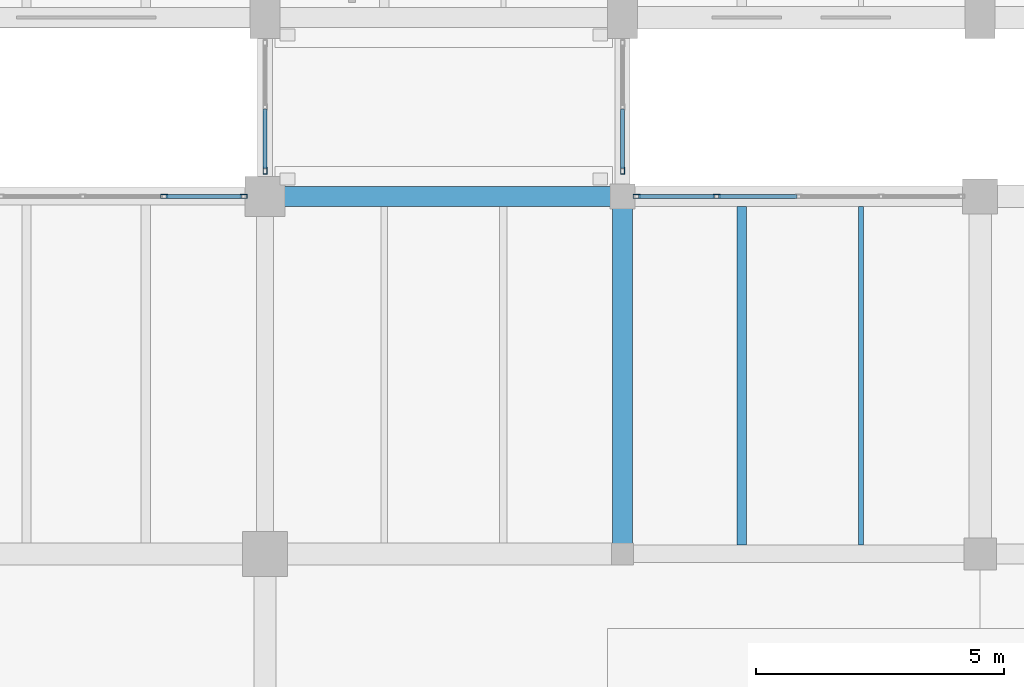
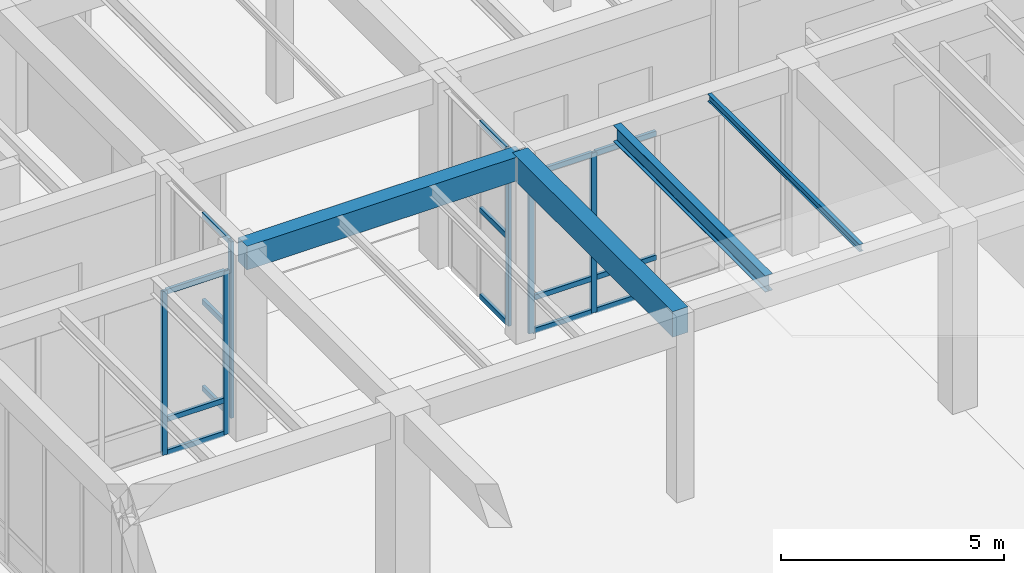
# One storey, part 87 of 169: 21 members, 4 beams, 4 elements without a shape of their own.
"""IFC4 building model written with IfcOpenShell, lengths in metres."""

from ifc_helpers import new_model, si_unit, direction, frame, origin, origin_2d, place, context, subcontext, project, spatial, rectangle, hollow_rectangle, i_section, extrude, material, layer, layer_set, material_profile, profile_set, type_object, element, aggregate, save


model = new_model("IFC4")

# Units and contexts
model_context = context("Model", 3, precision=1e-05, world=origin(), true_north=direction((0.0, 1.0)))
body_context = subcontext(model_context, "Body", "Model", "MODEL_VIEW")
ifc_project = project(units=[si_unit("LENGTHUNIT", "METRE"), si_unit("AREAUNIT", "SQUARE_METRE"), si_unit("VOLUMEUNIT", "CUBIC_METRE"), si_unit("PLANEANGLEUNIT", "RADIAN"), si_unit("MASSUNIT", "GRAM", prefix="KILO")], contexts=[model_context])

# Site, building, storey
site_placement = place(None, origin())
site = spatial("IfcSite", under=ifc_project, at=site_placement, CompositionType="ELEMENT")
building_placement = place(site_placement, origin())
building = spatial("IfcBuilding", under=site, at=building_placement, Name="Mazaris Harbour Polytechnic", CompositionType="ELEMENT")
storey_placement = place(building_placement, origin())
storey = spatial("IfcBuildingStorey", under=building, at=storey_placement, Name="L00", CompositionType="ELEMENT", Elevation=0.0)

# Curtain wall, members
ifc_material_1 = material(Name="Anodised Bronze Aluminium and Low-E Glass", Category="aluminium")
ifc_layer_1 = layer(ifc_material_1, 0.159912109375, Name="Anodised Bronze Aluminium and Low-E Glass")
ifc_layer_set_1 = layer_set([ifc_layer_1], Name="Anodised Bronze Aluminium and Low-E Glass")
curtain_wall_type_1 = type_object("IfcCurtainWallType", Name="Cloister Court Curtain Wall", PredefinedType="NOTDEFINED", material=ifc_layer_set_1)
curtain_wall_1_placement = place(storey_placement, origin())
curtain_wall_1 = element("IfcCurtainWall", 1, at=curtain_wall_1_placement, inside=storey, type_object=curtain_wall_type_1, Name="V2 L00 Curtain Wall 37", PredefinedType="NOTDEFINED")
ifc_material_2 = material(Name="Anodised Bronze Steel S355", Category="steel")
ifc_material_profile_1 = material_profile(ifc_material_2, hollow_rectangle(XDim=0.080078125, YDim=0.139892578125, WallThickness=0.00634765625, at=origin_2d()), Name="RHS 80x140x6.3")
ifc_profile_set_1 = profile_set([ifc_material_profile_1], Name="Anodised Bronze Steel S355")
member_type_1 = type_object("IfcMemberType", Name="Curtain Mullion RHS80x140", PredefinedType="MULLION", material=ifc_profile_set_1)
member_1_placement = place(storey_placement, frame((127.56640625, 43.199951171875, 0.0), z_axis=(0.0, 0.0, 1.0), x_axis=(0.0, 1.0, 0.0)))
member_1 = element("IfcMember", 2, at=member_1_placement, type_object=member_type_1, Name="CW-02 mullion 4", PredefinedType="MULLION", context=body_context, shape_type="SweptSolid", body=[
    extrude(hollow_rectangle(XDim=0.080078125, YDim=0.139892578125, WallThickness=0.00634765625, at=origin_2d()), origin(), (0.0, 0.0, 1.0), 4.489990234375),
])
member_2_placement = place(storey_placement, frame((129.16796875, 43.199951171875, 0.0), z_axis=(0.0, 0.0, 1.0), x_axis=(0.0, 1.0, 0.0)))
member_2 = element("IfcMember", 3, at=member_2_placement, type_object=member_type_1, Name="CW-02 mullion 5", PredefinedType="MULLION", context=body_context, shape_type="SweptSolid", body=[
    extrude(hollow_rectangle(XDim=0.080078125, YDim=0.139892578125, WallThickness=0.00634765625, at=origin_2d()), origin(), (0.0, 0.0, 1.0), 4.489990234375),
])

curtain_wall_2_placement = place(storey_placement, origin())
curtain_wall_2 = element("IfcCurtainWall", 4, at=curtain_wall_2_placement, inside=storey, type_object=curtain_wall_type_1, Name="V2 L00 Curtain Wall 38", PredefinedType="NOTDEFINED")
member_3_placement = place(storey_placement, frame((137.08203125, 43.199951171875, 0.0), z_axis=(0.0, 0.0, 1.0), x_axis=(0.0, 1.0, 0.0)))
member_3 = element("IfcMember", 5, at=member_3_placement, type_object=member_type_1, Name="CW-02 mullion 1", PredefinedType="MULLION", context=body_context, shape_type="SweptSolid", body=[
    extrude(hollow_rectangle(XDim=0.080078125, YDim=0.139892578125, WallThickness=0.00634765625, at=origin_2d()), origin(), (0.0, 0.0, 1.0), 4.389892578125),
])
member_4_placement = place(storey_placement, frame((138.696044921875, 43.199951171875, 0.0), z_axis=(0.0, 0.0, 1.0), x_axis=(0.0, 1.0, 0.0)))
member_4 = element("IfcMember", 6, at=member_4_placement, type_object=member_type_1, Name="CW-02 mullion 2", PredefinedType="MULLION", context=body_context, shape_type="SweptSolid", body=[
    extrude(hollow_rectangle(XDim=0.080078125, YDim=0.139892578125, WallThickness=0.00634765625, at=origin_2d()), origin(), (0.0, 0.0, 1.0), 4.389892578125),
])

# Curtain wall, member
ifc_material_3 = material(Name="Anodised Bronze Aluminium and Low-E Glass", Category="aluminium")
ifc_layer_2 = layer(ifc_material_3, 0.139892578125, Name="Anodised Bronze Aluminium and Low-E Glass")
ifc_layer_set_2 = layer_set([ifc_layer_2], Name="Anodised Bronze Aluminium and Low-E Glass")
curtain_wall_type_2 = type_object("IfcCurtainWallType", Name="Seismic Link Bridge Glazing", PredefinedType="NOTDEFINED", material=ifc_layer_set_2)
curtain_wall_3_placement = place(storey_placement, origin())
curtain_wall_3 = element("IfcCurtainWall", 7, at=curtain_wall_3_placement, inside=storey, type_object=curtain_wall_type_2, Name="PB-NE L00 Bridge Glazing", PredefinedType="NOTDEFINED")
member_5_placement = place(storey_placement, frame((129.60009765625, 43.719970703125, 0.0), z_axis=(0.0, 0.0, 1.0), x_axis=(1.0, 0.0, 0.0)))
member_5 = element("IfcMember", 8, at=member_5_placement, type_object=member_type_1, Name="CW-05 mullion 3", PredefinedType="MULLION", context=body_context, shape_type="SweptSolid", body=[
    extrude(hollow_rectangle(XDim=0.080078125, YDim=0.139892578125, WallThickness=0.00634765625, at=origin_2d()), origin(), (0.0, 0.0, 1.0), 4.8349609375),
])

curtain_wall_4_placement = place(storey_placement, origin())
curtain_wall_4 = element("IfcCurtainWall", 9, at=curtain_wall_4_placement, inside=storey, type_object=curtain_wall_type_2, Name="PB-NE L00 Bridge Glazing", PredefinedType="NOTDEFINED")
member_6_placement = place(storey_placement, frame((136.800048828125, 43.719970703125, 0.0), z_axis=(0.0, 0.0, 1.0), x_axis=(-1.0, 0.0, 0.0)))
member_6 = element("IfcMember", 10, at=member_6_placement, type_object=member_type_1, Name="CW-05 mullion 1", PredefinedType="MULLION", context=body_context, shape_type="SweptSolid", body=[
    extrude(hollow_rectangle(XDim=0.080078125, YDim=0.139892578125, WallThickness=0.00634765625, at=origin_2d()), origin(), (0.0, 0.0, 1.0), 4.8349609375),
])

# Member
ifc_material_4 = material(Name="Anodised Bronze Steel S355", Category="steel")
ifc_material_profile_2 = material_profile(ifc_material_4, hollow_rectangle(XDim=0.080078125, YDim=0.139892578125, WallThickness=0.00634765625, at=origin_2d()), Name="RHS 80x140x6.3")
ifc_profile_set_2 = profile_set([ifc_material_profile_2], Name="Anodised Bronze Steel S355")
member_type_2 = type_object("IfcMemberType", Name="Curtain Transom RHS80x140", PredefinedType="USERDEFINED", material=ifc_profile_set_2)
member_7_placement = place(storey_placement, frame((127.6064453125, 43.199951171875, 0.0400390625), z_axis=(1.0, 0.0, 0.0), x_axis=(0.0, 1.0, 0.0)))
member_7 = element("IfcMember", 11, at=member_7_placement, type_object=member_type_2, Name="CW-02 transom 4.1", ObjectType="TRANSOM", PredefinedType="USERDEFINED", context=body_context, shape_type="SweptSolid", body=[
    extrude(hollow_rectangle(XDim=0.080078125, YDim=0.139892578125, WallThickness=0.00634765625, at=origin_2d()), origin(), (0.0, 0.0, 1.0), 1.521484375),
])

member_8_placement = place(storey_placement, frame((127.6064453125, 43.199951171875, 0.949951171875), z_axis=(1.0, 0.0, 0.0), x_axis=(0.0, 1.0, 0.0)))
member_8 = element("IfcMember", 12, at=member_8_placement, type_object=member_type_2, Name="CW-02 transom 4.2", ObjectType="TRANSOM", PredefinedType="USERDEFINED", context=body_context, shape_type="SweptSolid", body=[
    extrude(hollow_rectangle(XDim=0.080078125, YDim=0.139892578125, WallThickness=0.00634765625, at=origin_2d()), origin(), (0.0, 0.0, 1.0), 1.521484375),
])

member_9_placement = place(storey_placement, frame((127.6064453125, 43.199951171875, 4.449951171875), z_axis=(1.0, 0.0, 0.0), x_axis=(0.0, 1.0, 0.0)))
member_9 = element("IfcMember", 13, at=member_9_placement, type_object=member_type_2, Name="CW-02 transom 4.3", ObjectType="TRANSOM", PredefinedType="USERDEFINED", context=body_context, shape_type="SweptSolid", body=[
    extrude(hollow_rectangle(XDim=0.080078125, YDim=0.139892578125, WallThickness=0.00634765625, at=origin_2d()), origin(), (0.0, 0.0, 1.0), 1.521484375),
])

aggregate(curtain_wall_1, [member_1, member_2, member_7, member_8, member_9])

member_10_placement = place(storey_placement, frame((137.1220703125, 43.199951171875, 0.0400390625), z_axis=(1.0, 0.0, 0.0), x_axis=(0.0, 1.0, 0.0)))
member_10 = element("IfcMember", 14, at=member_10_placement, type_object=member_type_2, Name="CW-02 transom 1.1", ObjectType="TRANSOM", PredefinedType="USERDEFINED", context=body_context, shape_type="SweptSolid", body=[
    extrude(hollow_rectangle(XDim=0.080078125, YDim=0.139892578125, WallThickness=0.00634765625, at=origin_2d()), origin(), (0.0, 0.0, 1.0), 1.533935546875),
])

member_11_placement = place(storey_placement, frame((137.1220703125, 43.199951171875, 0.949951171875), z_axis=(1.0, 0.0, 0.0), x_axis=(0.0, 1.0, 0.0)))
member_11 = element("IfcMember", 15, at=member_11_placement, type_object=member_type_2, Name="CW-02 transom 1.2", ObjectType="TRANSOM", PredefinedType="USERDEFINED", context=body_context, shape_type="SweptSolid", body=[
    extrude(hollow_rectangle(XDim=0.080078125, YDim=0.139892578125, WallThickness=0.00634765625, at=origin_2d()), origin(), (0.0, 0.0, 1.0), 1.533935546875),
])

member_12_placement = place(storey_placement, frame((137.1220703125, 43.199951171875, 4.35009765625), z_axis=(1.0, 0.0, 0.0), x_axis=(0.0, 1.0, 0.0)))
member_12 = element("IfcMember", 16, at=member_12_placement, type_object=member_type_2, Name="CW-02 transom 1.3", ObjectType="TRANSOM", PredefinedType="USERDEFINED", context=body_context, shape_type="SweptSolid", body=[
    extrude(hollow_rectangle(XDim=0.080078125, YDim=0.139892578125, WallThickness=0.00634765625, at=origin_2d()), origin(), (0.0, 0.0, 1.0), 1.533935546875),
])

member_13_placement = place(storey_placement, frame((138.736083984375, 43.199951171875, 0.0400390625), z_axis=(1.0, 0.0, 0.0), x_axis=(0.0, 1.0, 0.0)))
member_13 = element("IfcMember", 17, at=member_13_placement, type_object=member_type_2, Name="CW-02 transom 2.1", ObjectType="TRANSOM", PredefinedType="USERDEFINED", context=body_context, shape_type="SweptSolid", body=[
    extrude(hollow_rectangle(XDim=0.080078125, YDim=0.139892578125, WallThickness=0.00634765625, at=origin_2d()), origin(), (0.0, 0.0, 1.0), 1.573974609375),
])

member_14_placement = place(storey_placement, frame((138.736083984375, 43.199951171875, 0.949951171875), z_axis=(1.0, 0.0, 0.0), x_axis=(0.0, 1.0, 0.0)))
member_14 = element("IfcMember", 18, at=member_14_placement, type_object=member_type_2, Name="CW-02 transom 2.2", ObjectType="TRANSOM", PredefinedType="USERDEFINED", context=body_context, shape_type="SweptSolid", body=[
    extrude(hollow_rectangle(XDim=0.080078125, YDim=0.139892578125, WallThickness=0.00634765625, at=origin_2d()), origin(), (0.0, 0.0, 1.0), 1.573974609375),
])

member_15_placement = place(storey_placement, frame((138.736083984375, 43.199951171875, 4.35009765625), z_axis=(1.0, 0.0, 0.0), x_axis=(0.0, 1.0, 0.0)))
member_15 = element("IfcMember", 19, at=member_15_placement, type_object=member_type_2, Name="CW-02 transom 2.3", ObjectType="TRANSOM", PredefinedType="USERDEFINED", context=body_context, shape_type="SweptSolid", body=[
    extrude(hollow_rectangle(XDim=0.080078125, YDim=0.139892578125, WallThickness=0.00634765625, at=origin_2d()), origin(), (0.0, 0.0, 1.0), 1.573974609375),
])

aggregate(curtain_wall_2, [member_3, member_4, member_10, member_11, member_12, member_13, member_14, member_15])

member_16_placement = place(storey_placement, frame((129.60009765625, 44.9599609375, 0.0400390625), z_axis=(0.0, -1.0, 0.0), x_axis=(1.0, 0.0, 0.0)))
member_16 = element("IfcMember", 20, at=member_16_placement, type_object=member_type_2, Name="CW-05 transom 2.1", ObjectType="TRANSOM", PredefinedType="USERDEFINED", context=body_context, shape_type="SweptSolid", body=[
    extrude(hollow_rectangle(XDim=0.080078125, YDim=0.139892578125, WallThickness=0.00634765625, at=origin_2d()), origin(), (0.0, 0.0, 1.0), 1.199951171875),
])

member_17_placement = place(storey_placement, frame((129.60009765625, 44.9599609375, 2.41748046875), z_axis=(0.0, -1.0, 0.0), x_axis=(1.0, 0.0, 0.0)))
member_17 = element("IfcMember", 21, at=member_17_placement, type_object=member_type_2, Name="CW-05 transom 2.2", ObjectType="TRANSOM", PredefinedType="USERDEFINED", context=body_context, shape_type="SweptSolid", body=[
    extrude(hollow_rectangle(XDim=0.080078125, YDim=0.139892578125, WallThickness=0.00634765625, at=origin_2d()), origin(), (0.0, 0.0, 1.0), 1.199951171875),
])

member_18_placement = place(storey_placement, frame((129.60009765625, 44.9599609375, 4.794921875), z_axis=(0.0, -1.0, 0.0), x_axis=(1.0, 0.0, 0.0)))
member_18 = element("IfcMember", 22, at=member_18_placement, type_object=member_type_2, Name="CW-05 transom 2.3", ObjectType="TRANSOM", PredefinedType="USERDEFINED", context=body_context, shape_type="SweptSolid", body=[
    extrude(hollow_rectangle(XDim=0.080078125, YDim=0.139892578125, WallThickness=0.00634765625, at=origin_2d()), origin(), (0.0, 0.0, 1.0), 1.199951171875),
])

aggregate(curtain_wall_3, [member_5, member_16, member_17, member_18])

member_19_placement = place(storey_placement, frame((136.800048828125, 43.760009765625, 0.0400390625), z_axis=(0.0, 1.0, 0.0), x_axis=(-1.0, 0.0, 0.0)))
member_19 = element("IfcMember", 23, at=member_19_placement, type_object=member_type_2, Name="CW-05 transom 1.1", ObjectType="TRANSOM", PredefinedType="USERDEFINED", context=body_context, shape_type="SweptSolid", body=[
    extrude(hollow_rectangle(XDim=0.080078125, YDim=0.139892578125, WallThickness=0.00634765625, at=origin_2d()), origin(), (0.0, 0.0, 1.0), 1.199951171875),
])

member_20_placement = place(storey_placement, frame((136.800048828125, 43.760009765625, 2.41748046875), z_axis=(0.0, 1.0, 0.0), x_axis=(-1.0, 0.0, 0.0)))
member_20 = element("IfcMember", 24, at=member_20_placement, type_object=member_type_2, Name="CW-05 transom 1.2", ObjectType="TRANSOM", PredefinedType="USERDEFINED", context=body_context, shape_type="SweptSolid", body=[
    extrude(hollow_rectangle(XDim=0.080078125, YDim=0.139892578125, WallThickness=0.00634765625, at=origin_2d()), origin(), (0.0, 0.0, 1.0), 1.199951171875),
])

member_21_placement = place(storey_placement, frame((136.800048828125, 43.760009765625, 4.794921875), z_axis=(0.0, 1.0, 0.0), x_axis=(-1.0, 0.0, 0.0)))
member_21 = element("IfcMember", 25, at=member_21_placement, type_object=member_type_2, Name="CW-05 transom 1.3", ObjectType="TRANSOM", PredefinedType="USERDEFINED", context=body_context, shape_type="SweptSolid", body=[
    extrude(hollow_rectangle(XDim=0.080078125, YDim=0.139892578125, WallThickness=0.00634765625, at=origin_2d()), origin(), (0.0, 0.0, 1.0), 1.199951171875),
])

aggregate(curtain_wall_4, [member_6, member_19, member_20, member_21])

# Beams
ifc_material_5 = material(Name="Concrete C35/45", Category="concrete")
ifc_material_profile_3 = material_profile(ifc_material_5, rectangle(XDim=0.39990234375, YDim=0.64990234375, at=origin_2d()), Name="RECT400x650")
ifc_profile_set_3 = profile_set([ifc_material_profile_3], Name="Concrete C35/45")
beam_type_1 = type_object("IfcBeamType", Name="RC Girder 400x650 Exterior", PredefinedType="BEAM", material=ifc_profile_set_3)
beam_1_placement = place(storey_placement, frame((129.60009765625, 43.199951171875, 4.77490234375), z_axis=(1.0, 0.0, 0.0), x_axis=(0.0, 1.0, 0.0)))
element("IfcBeam", 26, at=beam_1_placement, inside=storey, type_object=beam_type_1, Name="V2 L00 Girder 446", PredefinedType="BEAM", context=body_context, shape_type="SweptSolid", body=[
    extrude(rectangle(XDim=0.39990234375, YDim=0.64990234375, at=origin_2d()), origin(), (0.0, 0.0, 1.0), 7.199951171875),
])
ifc_material_6 = material(Name="Concrete C35/45", Category="concrete")
ifc_material_profile_4 = material_profile(ifc_material_6, rectangle(XDim=0.39990234375, YDim=0.699951171875, at=origin_2d()), Name="RECT400x700")
ifc_profile_set_4 = profile_set([ifc_material_profile_4], Name="Concrete C35/45")
beam_type_2 = type_object("IfcBeamType", Name="RC Girder 400x700", PredefinedType="BEAM", material=ifc_profile_set_4)
beam_2_placement = place(storey_placement, frame((136.800048828125, 36.0, 4.75), z_axis=(0.0, 1.0, 0.0), x_axis=(-1.0, 0.0, 0.0)))
element("IfcBeam", 27, at=beam_2_placement, inside=storey, type_object=beam_type_2, Name="V2 L00 Tie Girder 462", PredefinedType="BEAM", context=body_context, shape_type="SweptSolid", body=[
    extrude(rectangle(XDim=0.39990234375, YDim=0.699951171875, at=origin_2d()), origin(), (0.0, 0.0, 1.0), 7.199951171875),
])
ifc_material_7 = material(Name="Steel S355", Category="steel")
ifc_material_profile_5 = material_profile(ifc_material_7, i_section(OverallWidth=0.10009765625, OverallDepth=0.199951171875, WebThickness=0.005615234375, FlangeThickness=0.008544921875, FilletRadius=0.011962890625, at=origin_2d()), Name="IPE 200")
ifc_profile_set_5 = profile_set([ifc_material_profile_5], Name="Steel S355")
beam_type_3 = type_object("IfcBeamType", Name="Steel Joist IPE200", PredefinedType="JOIST", material=ifc_profile_set_5)
beam_3_placement = place(storey_placement, frame((141.60009765625, 36.175048828125, 5.0), z_axis=(0.0, 1.0, 0.0), x_axis=(-1.0, 0.0, 0.0)))
element("IfcBeam", 28, at=beam_3_placement, inside=storey, type_object=beam_type_3, Name="V2 L00 Floor Joist 490", PredefinedType="JOIST", context=body_context, shape_type="SweptSolid", body=[
    extrude(i_section(OverallWidth=0.10009765625, OverallDepth=0.199951171875, WebThickness=0.005615234375, FlangeThickness=0.008544921875, FilletRadius=0.011962890625, at=origin_2d()), origin(), (0.0, 0.0, 1.0), 6.824951171875),
])
ifc_material_8 = material(Name="Steel S355", Category="steel")
ifc_material_profile_6 = material_profile(ifc_material_8, i_section(OverallWidth=0.18994140625, OverallDepth=0.449951171875, WebThickness=0.009521484375, FlangeThickness=0.0146484375, FilletRadius=0.02099609375, at=origin_2d()), Name="IPE 450")
ifc_profile_set_6 = profile_set([ifc_material_profile_6], Name="Steel S355")
beam_type_4 = type_object("IfcBeamType", Name="Steel Joist IPE450", PredefinedType="JOIST", material=ifc_profile_set_6)
beam_4_placement = place(storey_placement, frame((139.199951171875, 36.175048828125, 4.875), z_axis=(0.0, 1.0, 0.0), x_axis=(-1.0, 0.0, 0.0)))
element("IfcBeam", 29, at=beam_4_placement, inside=storey, type_object=beam_type_4, Name="V2 L00 Floor Joist 489", PredefinedType="JOIST", context=body_context, shape_type="SweptSolid", body=[
    extrude(i_section(OverallWidth=0.18994140625, OverallDepth=0.449951171875, WebThickness=0.009521484375, FlangeThickness=0.0146484375, FilletRadius=0.02099609375, at=origin_2d()), origin(), (0.0, 0.0, 1.0), 6.824951171875),
])

save(model, "model.ifc")
